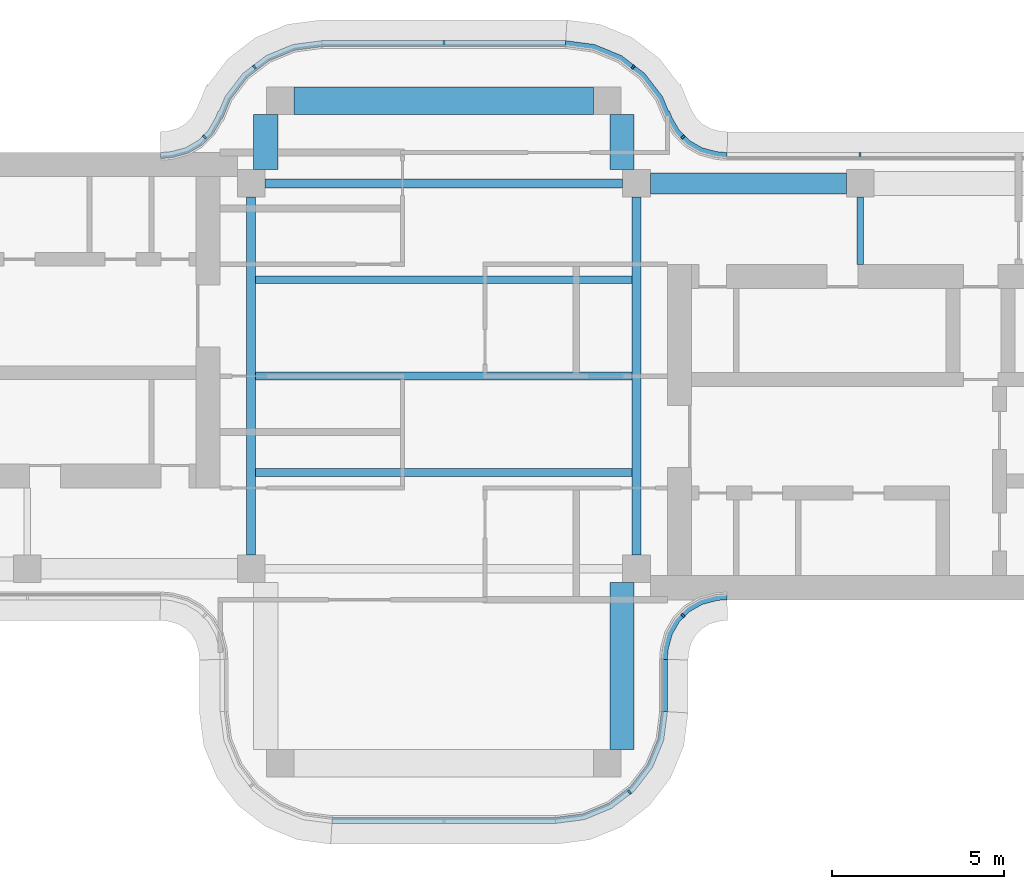
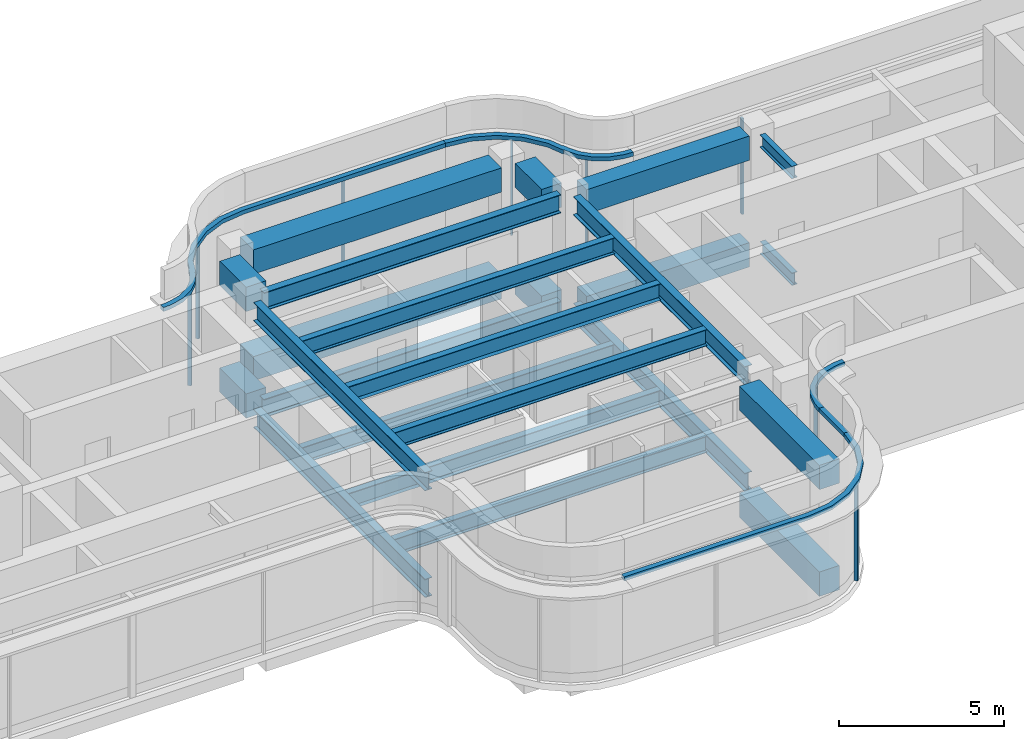
# One storey, part 3 of 9: 24 beams, 13 members, 6 elements without a shape of their own.
"""IFC4 building model written with IfcOpenShell, lengths in metres."""

import ifcopenshell
import ifcopenshell.guid

model = None  # the IFC model being written
_history = None  # IfcOwnerHistory: only IFC2X3 demands one
_inside = {}  # id of a spatial element -> (the spatial element, [elements in it])
_under = {}  # id of a project, library or spatial element -> (it, [spatial elements below it])
_declared = {}  # id of a project -> (the project, [libraries it declares])
_typed = {}  # id of a type object -> (the type object, [elements of that type])
_made_of = {}  # id of a material, layer set ... -> (it, [elements and type objects made of it])


def new_model(schema):
    """Start an empty IFC model of exactly this schema.

    Asked for "IFC4X3", IfcOpenShell would pick the latest addendum, in which some entities
    have other attributes; the version numbers below select the first issue.
    IFC2X3 requires an IfcOwnerHistory on every rooted entity: one is made here for all.
    """
    global model, _history
    if schema == "IFC4X3":
        model = ifcopenshell.file(schema_version=(4, 3, 0, 0))
    else:
        model = ifcopenshell.file(schema=schema)
    _inside.clear()
    _under.clear()
    _declared.clear()
    _typed.clear()
    _made_of.clear()
    _history = None
    if model.schema == "IFC2X3":
        org = make("IfcOrganization", Name="unknown")
        user = make(
            "IfcPersonAndOrganization",
            ThePerson=make("IfcPerson", FamilyName="unknown"),
            TheOrganization=org,
        )
        app = make(
            "IfcApplication",
            ApplicationDeveloper=org,
            Version="unknown",
            ApplicationFullName="unknown",
            ApplicationIdentifier="unknown",
        )
        _history = make(
            "IfcOwnerHistory",
            OwningUser=user,
            OwningApplication=app,
            ChangeAction="ADDED",
            CreationDate=0,
        )
    return model


def make(cls, **values):
    """One entity of the class cls with the attributes given. An attribute that is None is left unset."""
    return model.create_entity(
        cls, **{name: value for name, value in values.items() if value is not None}
    )


def rooted(cls, **values):
    """An entity with a GlobalId (a new one), such as an element, a storey or a relation."""
    return make(cls, GlobalId=ifcopenshell.guid.new(), OwnerHistory=_history, **values)


def si_unit(unit_type, name, prefix=None):
    """IfcSIUnit, for example si_unit("LENGTHUNIT", "METRE", prefix="MILLI")."""
    return make("IfcSIUnit", UnitType=unit_type, Prefix=prefix, Name=name)


def assignment(units):
    """IfcUnitAssignment: the units of a project."""
    return None if units is None else make("IfcUnitAssignment", Units=units)


def point(xyz):
    """IfcCartesianPoint."""
    return None if xyz is None else make("IfcCartesianPoint", Coordinates=xyz)


def direction(xyz):
    """IfcDirection."""
    return None if xyz is None else make("IfcDirection", DirectionRatios=xyz)


def frame(location, z_axis=None, x_axis=None):
    """IfcAxis2Placement3D, a coordinate frame: its origin and axes. An axis left out is left unset."""
    return make(
        "IfcAxis2Placement3D",
        Location=point(location),
        Axis=direction(z_axis),
        RefDirection=direction(x_axis),
    )


def frame_2d(location, x_axis=None):
    """IfcAxis2Placement2D, a coordinate frame in the plane: its origin and x axis."""
    return make(
        "IfcAxis2Placement2D", Location=point(location), RefDirection=direction(x_axis)
    )


def origin():
    """The frame at (0, 0, 0) with its axes left unset."""
    return frame((0.0, 0.0, 0.0))


def origin_2d():
    """The frame at (0, 0) in the plane with its x axis left unset."""
    return frame_2d((0.0, 0.0))


def place(relative_to, where):
    """IfcLocalPlacement: puts the frame where relative to a parent placement (None: the world)."""
    return make(
        "IfcLocalPlacement", PlacementRelTo=relative_to, RelativePlacement=where
    )


def context(
    kind, dimensions, precision=None, world=None, true_north=None, identifier=None
):
    """IfcGeometricRepresentationContext, for example the 3D "Model" context."""
    return make(
        "IfcGeometricRepresentationContext",
        ContextIdentifier=identifier,
        ContextType=kind,
        CoordinateSpaceDimension=dimensions,
        Precision=precision,
        WorldCoordinateSystem=world,
        TrueNorth=true_north,
    )


def subcontext(parent, identifier, kind, view, scale=None):
    """IfcGeometricRepresentationSubContext, for example "Body" below "Model"."""
    return make(
        "IfcGeometricRepresentationSubContext",
        ContextIdentifier=identifier,
        ContextType=kind,
        ParentContext=parent,
        TargetScale=scale,
        TargetView=view,
    )


def project(units=None, contexts=None):
    """IfcProject with its units and contexts."""
    return rooted(
        "IfcProject",
        Name="project",
        RepresentationContexts=contexts,
        UnitsInContext=assignment(units),
    )


def spatial(cls, under=None, at=None, **own):
    """A site, building, storey or space (cls), placed at a placement, below another one or the project."""
    s = rooted(cls, ObjectPlacement=at, **own)
    if under is not None:
        _under.setdefault(under.id(), (under, []))[1].append(s)
    return s


def polyline(points):
    """IfcPolyline through the points."""
    return make("IfcPolyline", Points=[point(p) for p in points])


def profile(cls, at=None, kind="AREA", **sizes):
    """A parametric profile (cls). Its sizes go by their IFC names, for example OverallWidth=200.0."""
    return make(cls, ProfileType=kind, Position=at, **sizes)


def rectangle(**sizes):
    """IfcRectangleProfileDef."""
    return profile("IfcRectangleProfileDef", **sizes)


def i_section(**sizes):
    """IfcIShapeProfileDef."""
    return profile("IfcIShapeProfileDef", **sizes)


def outline(outer, holes=None, kind="AREA"):
    """IfcArbitraryClosedProfileDef: a profile drawn as a closed curve; with holes, ...WithVoids."""
    if holes is None:
        return make("IfcArbitraryClosedProfileDef", ProfileType=kind, OuterCurve=outer)
    return make(
        "IfcArbitraryProfileDefWithVoids",
        ProfileType=kind,
        OuterCurve=outer,
        InnerCurves=holes,
    )


def extrude(swept, where, along, depth):
    """IfcExtrudedAreaSolid: the profile swept, set in the frame where, extruded along a direction by depth."""
    return make(
        "IfcExtrudedAreaSolid",
        SweptArea=swept,
        Position=where,
        ExtrudedDirection=direction(along),
        Depth=depth,
    )


def shape(context_of_items, identifier, shape_type, items):
    """IfcShapeRepresentation: the items that make up one representation, for example the "Body"."""
    return make(
        "IfcShapeRepresentation",
        ContextOfItems=context_of_items,
        RepresentationIdentifier=identifier,
        RepresentationType=shape_type,
        Items=items,
    )


def source(mapping_origin, context_of_items, identifier, shape_type, items):
    """IfcRepresentationMap: a shape defined once, which mapped items show again and again."""
    return make(
        "IfcRepresentationMap",
        MappingOrigin=mapping_origin,
        MappedRepresentation=shape(context_of_items, identifier, shape_type, items),
    )


def transform(
    local_origin,
    x_axis=None,
    y_axis=None,
    z_axis=None,
    scale=None,
    scale2=None,
    scale3=None,
    uniform=True,
):
    """IfcCartesianTransformationOperator3D, or its non-uniform kind. x_axis, y_axis, z_axis: its Axis1, 2, 3."""
    if uniform:
        return make(
            "IfcCartesianTransformationOperator3D",
            Axis1=direction(x_axis),
            Axis2=direction(y_axis),
            LocalOrigin=point(local_origin),
            Scale=scale,
            Axis3=direction(z_axis),
        )
    return make(
        "IfcCartesianTransformationOperator3DnonUniform",
        Axis1=direction(x_axis),
        Axis2=direction(y_axis),
        LocalOrigin=point(local_origin),
        Scale=scale,
        Axis3=direction(z_axis),
        Scale2=scale2,
        Scale3=scale3,
    )


def mapped(mapping_source, mapping_target):
    """IfcMappedItem: shows the shape of a source again, moved by a transform."""
    return make(
        "IfcMappedItem", MappingSource=mapping_source, MappingTarget=mapping_target
    )


def material(Name=None, Category=None):
    """IfcMaterial."""
    return make("IfcMaterial", Name=Name, Category=Category)


def layer(
    of_material, thickness, ventilated=None, Name=None, Category=None, Priority=None
):
    """IfcMaterialLayer: one layer of a wall or slab, of a material (None: an air gap)."""
    return make(
        "IfcMaterialLayer",
        Material=of_material,
        LayerThickness=thickness,
        IsVentilated=ventilated,
        Name=Name,
        Category=Category,
        Priority=Priority,
    )


def layer_set(layers, Name=None):
    """IfcMaterialLayerSet."""
    return make("IfcMaterialLayerSet", MaterialLayers=layers, LayerSetName=Name)


def material_profile(
    of_material, cross_section, Name=None, Category=None, Priority=None
):
    """IfcMaterialProfile: a cross section and its material."""
    return make(
        "IfcMaterialProfile",
        Name=Name,
        Material=of_material,
        Profile=cross_section,
        Priority=Priority,
        Category=Category,
    )


def profile_set(profiles, Name=None, composite=None):
    """IfcMaterialProfileSet."""
    return make(
        "IfcMaterialProfileSet",
        Name=Name,
        MaterialProfiles=profiles,
        CompositeProfile=composite,
    )


def made_of(thing, what):
    """Note that an element or type object is made of a material, layer set ...; save() writes the relation."""
    if what is not None:
        _made_of.setdefault(what.id(), (what, []))[1].append(thing)
    return thing


def type_object(cls, material=None, **own):
    """A type object (cls), such as IfcWallType, which elements share."""
    return made_of(rooted(cls, **own), material)


def element(
    cls,
    number,
    at=None,
    inside=None,
    cuts=None,
    type_object=None,
    material=None,
    context=None,
    identifier="Body",
    shape_type=None,
    held_by="IfcProductDefinitionShape",
    body=None,
    shapes=None,
    **own,
):
    """One element of the class cls, such as IfcWall. Its Tag is "e" and its number.

    at: its placement. inside: the storey or other place that contains it. cuts: it is an
    opening in that element (IfcRelVoidsElement). A single representation is given by context,
    identifier, shape_type and body (its items); several are given by shapes. held_by: the class
    of the entity that holds the representations. save() writes the other relations.
    """
    e = rooted(cls, Tag="e%d" % number, ObjectPlacement=at, **own)
    if body is not None:
        shapes = [shape(context, identifier, shape_type, body)]
    if shapes is not None:
        e.Representation = make(held_by, Representations=shapes)
    if inside is not None:
        _inside.setdefault(inside.id(), (inside, []))[1].append(e)
    if cuts is not None:
        rooted(
            "IfcRelVoidsElement", RelatingBuildingElement=cuts, RelatedOpeningElement=e
        )
    if type_object is not None:
        _typed.setdefault(type_object.id(), (type_object, []))[1].append(e)
    return made_of(e, material)


def aggregate(whole, parts):
    """IfcRelAggregates: a whole, such as a stair, and the parts it consists of."""
    return rooted("IfcRelAggregates", RelatingObject=whole, RelatedObjects=parts)


def save(model, path):
    """Write the relations noted so far, then the file.

    IfcRelAggregates (storeys below a building ...), IfcRelContainedInSpatialStructure (elements
    in a storey), IfcRelDefinesByType, IfcRelAssociatesMaterial and IfcRelDeclares: one each for
    every whole, place, type object, material and project.
    """
    for whole, parts in _under.values():
        aggregate(whole, parts)
    for where, things in _inside.values():
        rooted(
            "IfcRelContainedInSpatialStructure",
            RelatedElements=things,
            RelatingStructure=where,
        )
    for kind, things in _typed.values():
        rooted("IfcRelDefinesByType", RelatedObjects=things, RelatingType=kind)
    for what, things in _made_of.values():
        rooted("IfcRelAssociatesMaterial", RelatedObjects=things, RelatingMaterial=what)
    for by, libraries in _declared.values():
        rooted("IfcRelDeclares", RelatingContext=by, RelatedDefinitions=libraries)
    model.write(path)


model = new_model("IFC4")

# Units and contexts
model_context = context("Model", 3, precision=1e-05, world=origin(), true_north=direction((0.0, 1.0)))
body_context = subcontext(model_context, "Body", "Model", "MODEL_VIEW")
ifc_project = project(units=[si_unit("LENGTHUNIT", "METRE"), si_unit("AREAUNIT", "SQUARE_METRE"), si_unit("VOLUMEUNIT", "CUBIC_METRE"), si_unit("PLANEANGLEUNIT", "RADIAN"), si_unit("MASSUNIT", "GRAM", prefix="KILO")], contexts=[model_context])

# Site, building, storey
site_placement = place(None, origin())
site = spatial("IfcSite", under=ifc_project, at=site_placement, CompositionType="ELEMENT")
building_placement = place(site_placement, origin())
building = spatial("IfcBuilding", under=site, at=building_placement, Name="Trellis Farm Tower", CompositionType="ELEMENT")
storey_placement = place(building_placement, frame((0.0, 0.0, 358.10009765625)))
storey = spatial("IfcBuildingStorey", under=building, at=storey_placement, Name="L81", CompositionType="ELEMENT", Elevation=358.10009765625)

# Curtain wall, member
ifc_material_1 = material(Name="Aluminium and glass curtain wall", Category="aluminium")
ifc_layer_1 = layer(ifc_material_1, 0.176025390625)
ifc_layer_set_1 = layer_set([ifc_layer_1], Name="CROWN LANTERN CURTAIN WALL CW5")
curtain_wall_type = type_object("IfcCurtainWallType", Name="CROWN LANTERN CURTAIN WALL CW5", PredefinedType="NOTDEFINED", material=ifc_layer_set_1)
placement_1 = place(storey_placement, origin())
curtain_wall_1 = element("IfcCurtainWall", 1, at=placement_1, inside=storey, type_object=curtain_wall_type, Name="CW5 002", PredefinedType="NOTDEFINED")
ifc_material_2 = material(Name="Aluminium extrusion 6063-T6", Category="aluminium")
ifc_layer_2 = layer(ifc_material_2, 0.176025390625)
ifc_layer_set_2 = layer_set([ifc_layer_2], Name="Aluminium extrusion 6063-T6")
member_type_1 = type_object("IfcMemberType", Name="CW5 TRANSOM 176x150", PredefinedType="USERDEFINED", material=ifc_layer_set_2)
placement_2 = place(storey_placement, frame((0.0, 0.0, 3.5498046875)))
member_1 = element("IfcMember", 2, at=placement_2, type_object=member_type_1, Name="TR5 002", ObjectType="TRANSOM", PredefinedType="USERDEFINED", context=body_context, shape_type="SweptSolid", body=[
    extrude(outline(polyline([(-3.25, -13.0), (3.25, -13.0), (4.091064453125, -12.88916015625), (4.875, -12.564697265625), (5.548095703125, -12.048095703125), (6.064697265625, -11.375), (6.38916015625, -10.591064453125), (6.5, -9.75), (6.323974609375, -9.738525390625), (6.2177734375, -10.545166015625), (5.910888671875, -11.2861328125), (5.422607421875, -11.922607421875), (4.7861328125, -12.410888671875), (4.045166015625, -12.7177734375), (3.238525390625, -12.823974609375), (-3.238525390625, -12.823974609375), (-3.25, -13.0)])), origin(), (0.0, 0.0, 1.0), 0.150146484375),
])

curtain_wall_2 = element("IfcCurtainWall", 3, at=placement_1, inside=storey, type_object=curtain_wall_type, Name="CW5 008", PredefinedType="NOTDEFINED")
member_2 = element("IfcMember", 4, at=placement_2, type_object=member_type_1, Name="TR5 008", ObjectType="TRANSOM", PredefinedType="USERDEFINED", context=body_context, shape_type="SweptSolid", body=[
    extrude(outline(polyline([(3.542236328125, 9.75), (-3.542236328125, 9.75), (-4.38330078125, 9.63916015625), (-5.167236328125, 9.314697265625), (-5.84033203125, 8.798095703125), (-6.356689453125, 8.125), (-6.53466796875, 7.69580078125), (-6.555419921875, 7.704345703125), (-6.63623046875, 7.50927734375), (-6.846923828125, 7.144287109375), (-7.144287109375, 6.846923828125), (-7.508544921875, 6.63671875), (-7.91552734375, 6.527587890625), (-8.01953125, 6.513916015625), (-8.2314453125, 6.5), (-8.2255859375, 6.323974609375), (-8.002197265625, 6.338623046875), (-7.881103515625, 6.3544921875), (-7.440673828125, 6.47265625), (-7.0361328125, 6.7060546875), (-6.7060546875, 7.0361328125), (-6.47802734375, 7.431396484375), (-6.460205078125, 7.474365234375), (-6.439453125, 7.4658203125), (-6.203125, 8.0361328125), (-5.71484375, 8.672607421875), (-5.078369140625, 9.160888671875), (-4.33740234375, 9.4677734375), (-3.53076171875, 9.573974609375), (3.53076171875, 9.573974609375), (3.542236328125, 9.75)])), origin(), (0.0, 0.0, 1.0), 0.150146484375),
])

# Beams
ifc_material_3 = material(Name="Steel S355", Category="steel")
ifc_material_profile_1 = material_profile(ifc_material_3, i_section(OverallWidth=0.22900390625, OverallDepth=0.6123046875, WebThickness=0.011962890625, FlangeThickness=0.01953125, FilletRadius=0.0126953125, at=origin_2d()), Name="UB 610x229x125")
ifc_profile_set_1 = profile_set([ifc_material_profile_1], Name="Steel S355")
beam_type_1 = type_object("IfcBeamType", Name="UB 610x229x125 joist", PredefinedType="JOIST", material=ifc_profile_set_1)
shared_shape_1 = source(origin(), body_context, "Body", "SweptSolid", [
    extrude(i_section(OverallWidth=0.22900390625, OverallDepth=0.6123046875, WebThickness=0.011962890625, FlangeThickness=0.01953125, FilletRadius=0.0126953125, at=origin_2d()), origin(), (0.0, 0.0, 1.0), 10.9462890625),
])
for number, where, z_axis, x_axis, name in (
    (5, (-5.47314453125, -2.800048828125, -0.55615234375), (1.0, 0.0, 0.0), (0.0, 1.0, 0.0), "Floor beam"),
    (6, (-5.47314453125, 0.0, -0.55615234375), (1.0, 0.0, 0.0), (0.0, 1.0, 0.0), "Floor beam"),
    (7, (-5.47314453125, 2.800048828125, -0.55615234375), (1.0, 0.0, 0.0), (0.0, 1.0, 0.0), "Floor beam"),
    (8, (-5.47314453125, -2.800048828125, 3.393798828125), (1.0, 0.0, 0.0), (0.0, 1.0, 0.0), "Floor beam"),
    (9, (-5.47314453125, 0.0, 3.393798828125), (1.0, 0.0, 0.0), (0.0, 1.0, 0.0), "Floor beam"),
    (10, (-5.47314453125, 2.800048828125, 3.393798828125), (1.0, 0.0, 0.0), (0.0, 1.0, 0.0), "Floor beam"),
):
    element("IfcBeam", number, at=place(storey_placement, frame(where, z_axis=z_axis, x_axis=x_axis)), inside=storey, type_object=beam_type_1, Name=name, PredefinedType="JOIST", context=body_context, shape_type="MappedRepresentation", body=[
        mapped(shared_shape_1, transform((0.0, 0.0, 0.0))),
    ])
ifc_material_profile_2 = material_profile(ifc_material_3, i_section(OverallWidth=0.253662109375, OverallDepth=0.68359375, WebThickness=0.012451171875, FlangeThickness=0.021728515625, FilletRadius=0.01513671875, at=origin_2d()), Name="UB 686x254x140")
ifc_profile_set_2 = profile_set([ifc_material_profile_2], Name="Steel S355")
beam_type_2 = type_object("IfcBeamType", Name="UB 686x254x140", PredefinedType="BEAM", material=ifc_profile_set_2)
shared_shape_2 = source(origin(), body_context, "Body", "SweptSolid", [
    extrude(i_section(OverallWidth=0.253662109375, OverallDepth=0.68359375, WebThickness=0.012451171875, FlangeThickness=0.021728515625, FilletRadius=0.01513671875, at=origin_2d()), origin(), (0.0, 0.0, 1.0), 10.39990234375),
])
for number, where, z_axis, x_axis, name in (
    (11, (-5.199951171875, 5.60009765625, -0.591796875), (1.0, 0.0, 0.0), (0.0, 1.0, 0.0), "Girder"),
    (12, (-5.60009765625, -5.199951171875, -0.591796875), (0.0, 1.0, 0.0), (-1.0, 0.0, 0.0), "Girder"),
    (13, (5.60009765625, -5.199951171875, -0.591796875), (0.0, 1.0, 0.0), (-1.0, 0.0, 0.0), "Girder"),
    (14, (-5.199951171875, 5.60009765625, 3.358154296875), (1.0, 0.0, 0.0), (0.0, 1.0, 0.0), "Girder"),
    (15, (-5.60009765625, -5.199951171875, 3.358154296875), (0.0, 1.0, 0.0), (-1.0, 0.0, 0.0), "Girder"),
    (16, (5.60009765625, -5.199951171875, 3.358154296875), (0.0, 1.0, 0.0), (-1.0, 0.0, 0.0), "Girder"),
):
    element("IfcBeam", number, at=place(storey_placement, frame(where, z_axis=z_axis, x_axis=x_axis)), inside=storey, type_object=beam_type_2, Name=name, PredefinedType="BEAM", context=body_context, shape_type="MappedRepresentation", body=[
        mapped(shared_shape_2, transform((0.0, 0.0, 0.0))),
    ])
ifc_material_4 = material(Name="Concrete C60/75", Category="concrete")
ifc_material_profile_3 = material_profile(ifc_material_4, rectangle(XDim=0.60009765625, YDim=0.89990234375, at=origin_2d()), Name="RC spandrel beam 600x900 C60/75")
ifc_profile_set_3 = profile_set([ifc_material_profile_3], Name="Concrete C60/75")
beam_type_3 = type_object("IfcBeamType", Name="RC spandrel beam 600x900 C60/75", PredefinedType="SPANDREL", material=ifc_profile_set_3)
shared_shape_3 = source(origin(), body_context, "Body", "SweptSolid", [
    extrude(rectangle(XDim=0.60009765625, YDim=0.89990234375, at=origin_2d()), origin(), (0.0, 0.0, 1.0), 5.699951171875),
])
for number, where, z_axis, x_axis, name in (
    (17, (6.0, 5.60009765625, -0.7001953125), (1.0, 0.0, 0.0), (0.0, 1.0, 0.0), "Girder"),
    (18, (6.0, 5.60009765625, 3.25), (1.0, 0.0, 0.0), (0.0, 1.0, 0.0), "Girder"),
):
    element("IfcBeam", number, at=place(storey_placement, frame(where, z_axis=z_axis, x_axis=x_axis)), inside=storey, type_object=beam_type_3, Name=name, PredefinedType="SPANDREL", context=body_context, shape_type="MappedRepresentation", body=[
        mapped(shared_shape_3, transform((0.0, 0.0, 0.0))),
    ])
ifc_material_profile_4 = material_profile(ifc_material_4, rectangle(XDim=0.800048828125, YDim=0.89990234375, at=origin_2d()), Name="RC spandrel beam 800x900 C60/75")
ifc_profile_set_4 = profile_set([ifc_material_profile_4], Name="Concrete C60/75")
beam_type_4 = type_object("IfcBeamType", Name="RC spandrel beam 800x900 C60/75", PredefinedType="SPANDREL", material=ifc_profile_set_4)
shared_shape_4 = source(origin(), body_context, "Body", "SweptSolid", [
    extrude(rectangle(XDim=0.800048828125, YDim=0.89990234375, at=origin_2d()), origin(), (0.0, 0.0, 1.0), 8.7001953125),
])
for number, where, z_axis, x_axis, name in (
    (19, (-4.35009765625, 8.0, -0.7001953125), (1.0, 0.0, 0.0), (0.0, 1.0, 0.0), "Girder"),
    (20, (-4.35009765625, 8.0, 3.25), (1.0, 0.0, 0.0), (0.0, 1.0, 0.0), "Girder"),
):
    element("IfcBeam", number, at=place(storey_placement, frame(where, z_axis=z_axis, x_axis=x_axis)), inside=storey, type_object=beam_type_4, Name=name, PredefinedType="SPANDREL", context=body_context, shape_type="MappedRepresentation", body=[
        mapped(shared_shape_4, transform((0.0, 0.0, 0.0))),
    ])
ifc_material_profile_5 = material_profile(ifc_material_3, i_section(OverallWidth=0.1904296875, OverallDepth=0.45703125, WebThickness=0.009033203125, FlangeThickness=0.014404296875, FilletRadius=0.01025390625, at=origin_2d()), Name="UB 457x191x74")
ifc_profile_set_5 = profile_set([ifc_material_profile_5], Name="Steel S355")
beam_type_5 = type_object("IfcBeamType", Name="UB 457x191x74", PredefinedType="BEAM", material=ifc_profile_set_5)
shared_shape_5 = source(origin(), body_context, "Body", "SweptSolid", [
    extrude(i_section(OverallWidth=0.1904296875, OverallDepth=0.45703125, WebThickness=0.009033203125, FlangeThickness=0.014404296875, FilletRadius=0.01025390625, at=origin_2d()), origin(), (0.0, 0.0, 1.0), 1.949951171875),
])
for number, where, z_axis, x_axis, name in (
    (21, (12.10009765625, 3.25, -0.478515625), (0.0, 1.0, 0.0), (-1.0, 0.0, 0.0), "Girder"),
    (22, (12.10009765625, 3.25, 3.471435546875), (0.0, 1.0, 0.0), (-1.0, 0.0, 0.0), "Girder"),
):
    element("IfcBeam", number, at=place(storey_placement, frame(where, z_axis=z_axis, x_axis=x_axis)), inside=storey, type_object=beam_type_5, Name=name, PredefinedType="BEAM", context=body_context, shape_type="MappedRepresentation", body=[
        mapped(shared_shape_5, transform((0.0, 0.0, 0.0))),
    ])
ifc_material_profile_6 = material_profile(ifc_material_4, rectangle(XDim=0.699951171875, YDim=0.89990234375, at=origin_2d()), Name="RC spandrel beam 700x900 C60/75")
ifc_profile_set_6 = profile_set([ifc_material_profile_6], Name="Concrete C60/75")
beam_type_6 = type_object("IfcBeamType", Name="RC spandrel beam 700x900 C60/75", PredefinedType="SPANDREL", material=ifc_profile_set_6)
shared_shape_6 = source(origin(), body_context, "Body", "SweptSolid", [
    extrude(rectangle(XDim=0.699951171875, YDim=0.89990234375, at=origin_2d()), origin(), (0.0, 0.0, 1.0), 4.85009765625),
])
for number, where, z_axis, x_axis, name in (
    (23, (5.175048828125, -10.85009765625, -0.7001953125), (0.0, 1.0, 0.0), (-1.0, 0.0, 0.0), "Girder"),
    (24, (5.175048828125, -10.85009765625, 3.25), (0.0, 1.0, 0.0), (-1.0, 0.0, 0.0), "Girder"),
):
    element("IfcBeam", number, at=place(storey_placement, frame(where, z_axis=z_axis, x_axis=x_axis)), inside=storey, type_object=beam_type_6, Name=name, PredefinedType="SPANDREL", context=body_context, shape_type="MappedRepresentation", body=[
        mapped(shared_shape_6, transform((0.0, 0.0, 0.0))),
    ])
shared_shape_7 = source(origin(), body_context, "Body", "SweptSolid", [
    extrude(rectangle(XDim=0.699951171875, YDim=0.89990234375, at=origin_2d()), origin(), (0.0, 0.0, 1.0), 1.60009765625),
])
for number, where, z_axis, x_axis, name in (
    (25, (-5.175048828125, 6.0, -0.7001953125), (0.0, 1.0, 0.0), (-1.0, 0.0, 0.0), "Girder"),
    (26, (5.175048828125, 6.0, -0.7001953125), (0.0, 1.0, 0.0), (-1.0, 0.0, 0.0), "Girder"),
    (27, (-5.175048828125, 6.0, 3.25), (0.0, 1.0, 0.0), (-1.0, 0.0, 0.0), "Girder"),
    (28, (5.175048828125, 6.0, 3.25), (0.0, 1.0, 0.0), (-1.0, 0.0, 0.0), "Girder"),
):
    element("IfcBeam", number, at=place(storey_placement, frame(where, z_axis=z_axis, x_axis=x_axis)), inside=storey, type_object=beam_type_6, Name=name, PredefinedType="SPANDREL", context=body_context, shape_type="MappedRepresentation", body=[
        mapped(shared_shape_7, transform((0.0, 0.0, 0.0))),
    ])

# Curtain wall, member
curtain_wall_3 = element("IfcCurtainWall", 29, at=placement_1, inside=storey, type_object=curtain_wall_type, Name="CW5 004", PredefinedType="NOTDEFINED")
shared_shape_8 = source(origin(), body_context, "Body", "SweptSolid", [
    extrude(outline(polyline([(6.5, -8.2314453125), (6.513916015625, -8.01953125), (6.527587890625, -7.91552734375), (6.63671875, -7.508544921875), (6.846923828125, -7.144287109375), (7.144287109375, -6.846923828125), (7.508544921875, -6.63671875), (7.91552734375, -6.527587890625), (8.01953125, -6.513916015625), (8.2314453125, -6.5), (8.2255859375, -6.323974609375), (8.002197265625, -6.338623046875), (7.881103515625, -6.3544921875), (7.440673828125, -6.47265625), (7.0361328125, -6.7060546875), (6.7060546875, -7.0361328125), (6.47265625, -7.440673828125), (6.3544921875, -7.881103515625), (6.338623046875, -8.002197265625), (6.323974609375, -8.2255859375), (6.5, -8.2314453125)])), origin(), (0.0, 0.0, 1.0), 0.150146484375),
])
member_3 = element("IfcMember", 30, at=placement_2, type_object=member_type_1, Name="TR5 004", ObjectType="TRANSOM", PredefinedType="USERDEFINED", context=body_context, shape_type="MappedRepresentation", body=[
    mapped(shared_shape_8, transform((0.0, 0.0, 0.0))),
])

# Member
ifc_material_profile_7 = material_profile(ifc_material_2, rectangle(XDim=0.06005859375, YDim=0.1201171875, at=origin_2d()), Name="MULLION 60x120")
ifc_profile_set_7 = profile_set([ifc_material_profile_7], Name="Aluminium extrusion 6063-T6")
member_type_2 = type_object("IfcMemberType", Name="CW5 MULLION 60x120", PredefinedType="MULLION", material=ifc_profile_set_7)
shared_shape_9 = source(origin(), body_context, "Body", "SweptSolid", [
    extrude(rectangle(XDim=0.06005859375, YDim=0.1201171875, at=origin_2d()), origin(), (0.0, 0.0, 1.0), 3.5498046875),
])
member_4_placement = place(storey_placement, frame((5.394775390625, -12.090087890625, 0.0), z_axis=(0.0, 0.0, 1.0), x_axis=(0.793353340291, 0.608761429009, 0.0)))
member_4 = element("IfcMember", 31, at=member_4_placement, type_object=member_type_2, Name="MU5 002-02", PredefinedType="MULLION", context=body_context, shape_type="MappedRepresentation", body=[
    mapped(shared_shape_9, transform((0.0, 0.0, 0.0))),
])

aggregate(curtain_wall_1, [member_4, member_1])

member_5_placement = place(storey_placement, frame((6.953125, -6.953125, 0.0), z_axis=(0.0, 0.0, 1.0), x_axis=(0.707106781187, 0.707106781187, 0.0)))
member_5 = element("IfcMember", 32, at=member_5_placement, type_object=member_type_2, Name="MU5 004-01", PredefinedType="MULLION", context=body_context, shape_type="MappedRepresentation", body=[
    mapped(shared_shape_9, transform((0.0, 0.0, 0.0))),
])

aggregate(curtain_wall_3, [member_5, member_3])

# Curtain wall, member
curtain_wall_4 = element("IfcCurtainWall", 33, at=placement_1, inside=storey, type_object=curtain_wall_type, Name="CW5 006", PredefinedType="NOTDEFINED")
member_6_placement = place(storey_placement, frame((12.10009765625, 6.43994140625, 0.0), z_axis=(0.0, 0.0, 1.0), x_axis=(-1.0, 0.0, 0.0)))
member_6 = element("IfcMember", 34, at=member_6_placement, type_object=member_type_2, Name="MU5 006-01", PredefinedType="MULLION", context=body_context, shape_type="MappedRepresentation", body=[
    mapped(shared_shape_9, transform((0.0, 0.0, 0.0))),
])
aggregate(curtain_wall_4, [member_6])

# Curtain wall, members
curtain_wall_5 = element("IfcCurtainWall", 35, at=placement_1, inside=storey, type_object=curtain_wall_type, Name="CW5 007", PredefinedType="NOTDEFINED")
member_7_placement = place(storey_placement, frame((6.953125, 6.953125, 0.0), z_axis=(0.0, 0.0, 1.0), x_axis=(-0.707106781187, 0.707106781187, 0.0)))
member_7 = element("IfcMember", 36, at=member_7_placement, type_object=member_type_2, Name="MU5 007-01", PredefinedType="MULLION", context=body_context, shape_type="MappedRepresentation", body=[
    mapped(shared_shape_9, transform((0.0, 0.0, 0.0))),
])
member_8_placement = place(storey_placement, frame((5.5029296875, 8.981201171875, 0.0), z_axis=(0.0, 0.0, 1.0), x_axis=(-0.793353340291, 0.608761429009, 0.0)))
member_8 = element("IfcMember", 37, at=member_8_placement, type_object=member_type_2, Name="MU5 007-02", PredefinedType="MULLION", context=body_context, shape_type="MappedRepresentation", body=[
    mapped(shared_shape_9, transform((0.0, 0.0, 0.0))),
])

# Member
member_9_placement = place(storey_placement, frame((0.0, 9.68994140625, 0.0), z_axis=(0.0, 0.0, 1.0), x_axis=(-1.0, 0.0, 0.0)))
member_9 = element("IfcMember", 38, at=member_9_placement, type_object=member_type_2, Name="MU5 008-01", PredefinedType="MULLION", context=body_context, shape_type="MappedRepresentation", body=[
    mapped(shared_shape_9, transform((0.0, 0.0, 0.0))),
])

member_10_placement = place(storey_placement, frame((-5.5029296875, 8.981201171875, 0.0), z_axis=(0.0, 0.0, 1.0), x_axis=(-0.793353340291, -0.608761429009, 0.0)))
member_10 = element("IfcMember", 39, at=member_10_placement, type_object=member_type_2, Name="MU5 008-02", PredefinedType="MULLION", context=body_context, shape_type="MappedRepresentation", body=[
    mapped(shared_shape_9, transform((0.0, 0.0, 0.0))),
])

member_11_placement = place(storey_placement, frame((-6.953125, 6.953125, 0.0), z_axis=(0.0, 0.0, 1.0), x_axis=(-0.707106781187, -0.707106781187, 0.0)))
member_11 = element("IfcMember", 40, at=member_11_placement, type_object=member_type_2, Name="MU5 008-03", PredefinedType="MULLION", context=body_context, shape_type="MappedRepresentation", body=[
    mapped(shared_shape_9, transform((0.0, 0.0, 0.0))),
])

aggregate(curtain_wall_2, [member_9, member_10, member_11, member_2])

# Curtain wall, member
curtain_wall_6 = element("IfcCurtainWall", 41, at=placement_1, inside=storey, type_object=curtain_wall_type, Name="CW5 003", PredefinedType="NOTDEFINED")
shared_shape_10 = source(origin(), body_context, "Body", "SweptSolid", [
    extrude(outline(polyline([(6.5, -9.75), (6.5, -8.2314453125), (6.323974609375, -8.2255859375), (6.323974609375, -9.738525390625), (6.5, -9.75)])), origin(), (0.0, 0.0, 1.0), 0.150146484375),
])
member_12 = element("IfcMember", 42, at=placement_2, type_object=member_type_1, Name="TR5 003", ObjectType="TRANSOM", PredefinedType="USERDEFINED", context=body_context, shape_type="MappedRepresentation", body=[
    mapped(shared_shape_10, transform((0.0, 0.0, 0.0))),
])
aggregate(curtain_wall_6, [member_12])

# Member
shared_shape_11 = source(origin(), body_context, "Body", "SweptSolid", [
    extrude(outline(polyline([(8.2314453125, 6.5), (8.01953125, 6.513916015625), (7.91552734375, 6.527587890625), (7.508544921875, 6.63671875), (7.144287109375, 6.846923828125), (6.846923828125, 7.144287109375), (6.63623046875, 7.50927734375), (6.555419921875, 7.704345703125), (6.53466796875, 7.69580078125), (6.356689453125, 8.125), (5.84033203125, 8.798095703125), (5.167236328125, 9.314697265625), (4.38330078125, 9.63916015625), (3.542236328125, 9.75), (3.53076171875, 9.573974609375), (4.33740234375, 9.4677734375), (5.078369140625, 9.160888671875), (5.71484375, 8.672607421875), (6.203125, 8.0361328125), (6.439453125, 7.4658203125), (6.460205078125, 7.474365234375), (6.47802734375, 7.431396484375), (6.7060546875, 7.0361328125), (7.0361328125, 6.7060546875), (7.440673828125, 6.47265625), (7.881103515625, 6.3544921875), (8.002197265625, 6.338623046875), (8.2255859375, 6.323974609375), (8.2314453125, 6.5)])), origin(), (0.0, 0.0, 1.0), 0.150146484375),
])
member_13 = element("IfcMember", 43, at=placement_2, type_object=member_type_1, Name="TR5 007", ObjectType="TRANSOM", PredefinedType="USERDEFINED", context=body_context, shape_type="MappedRepresentation", body=[
    mapped(shared_shape_11, transform((0.0, 0.0, 0.0))),
])

aggregate(curtain_wall_5, [member_7, member_8, member_13])

save(model, "model.ifc")
